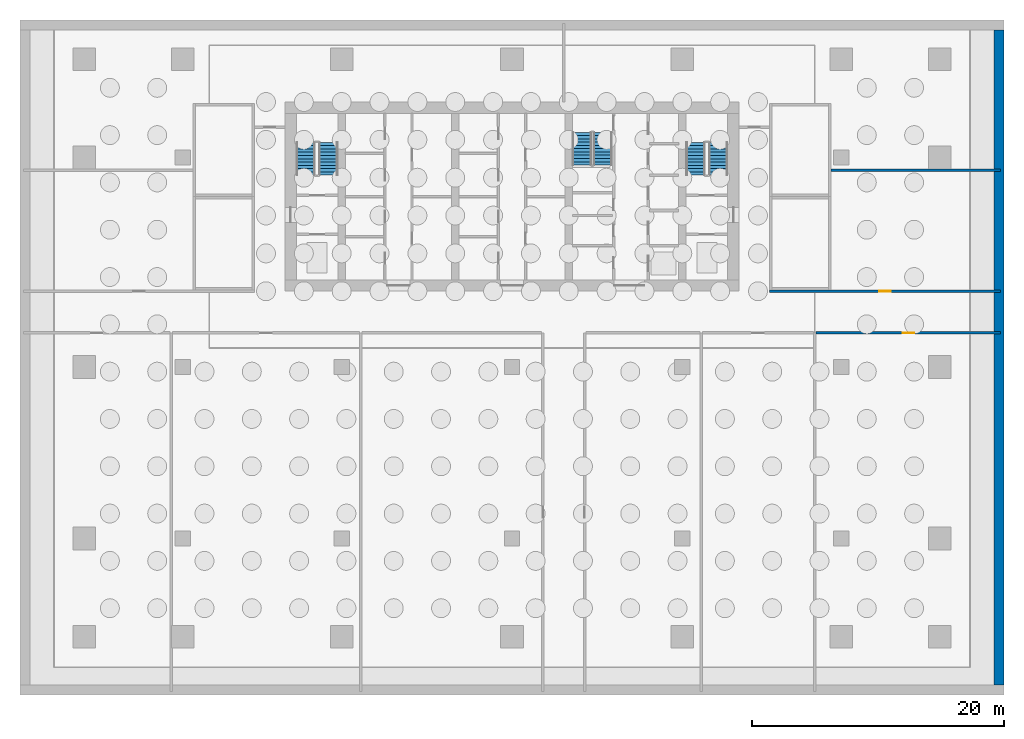
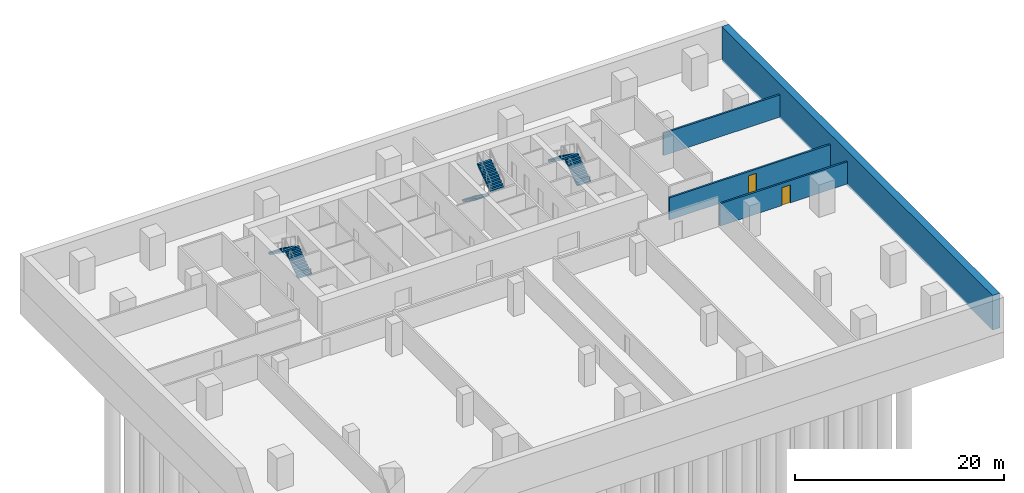
# One storey, part 8 of 10: 6 stair flights, 4 walls, 2 doors, 2 openings, 3 elements without a shape of their own.
"""IFC4 building model written with IfcOpenShell, lengths in metres."""

from ifc_helpers import new_model, si_unit, direction, frame, frame_2d, origin, place, context, subcontext, project, spatial, polyline, rectangle, outline, extrude, material, layer, layer_set, type_object, element, fill, aggregate, save


model = new_model("IFC4")

# Units and contexts
model_context = context("Model", 3, precision=1e-05, world=origin(), true_north=direction((0.0, 1.0)))
body_context = subcontext(model_context, "Body", "Model", "MODEL_VIEW")
ifc_project = project(units=[si_unit("LENGTHUNIT", "METRE"), si_unit("AREAUNIT", "SQUARE_METRE"), si_unit("VOLUMEUNIT", "CUBIC_METRE"), si_unit("PLANEANGLEUNIT", "RADIAN"), si_unit("MASSUNIT", "GRAM", prefix="KILO")], contexts=[model_context])

# Site, building, storey
site_placement = place(None, origin())
site = spatial("IfcSite", under=ifc_project, at=site_placement, CompositionType="ELEMENT")
building_placement = place(site_placement, origin())
building = spatial("IfcBuilding", under=site, at=building_placement, Name="Rattan Terrace Tower", CompositionType="ELEMENT")
storey_placement = place(building_placement, frame((0.0, 0.0, -13.5)))
storey = spatial("IfcBuildingStorey", under=building, at=storey_placement, Name="B3", CompositionType="ELEMENT", Elevation=-13.5)

# Wall, opening, door
ifc_material_1 = material(Name="Concrete block wall, plastered", Category="concrete")
ifc_layer_1 = layer(ifc_material_1, 0.199951171875)
ifc_layer_set_1 = layer_set([ifc_layer_1], Name="Floors Plant Wall 200")
wall_type_1 = type_object("IfcWallType", Name="Floors Plant Wall 200", PredefinedType="PARTITIONING", material=ifc_layer_set_1)
wall_1_placement = place(storey_placement, frame((38.739990234375, -10.800048828125, 0.0), z_axis=(0.0, 0.0, 1.0), x_axis=(-1.0, 0.0, 0.0)))
wall_1 = element("IfcWall", 1, at=wall_1_placement, inside=storey, type_object=wall_type_1, Name="pt-B3-008", PredefinedType="PARTITIONING", context=body_context, shape_type="SweptSolid", body=[
    extrude(rectangle(XDim=14.639892578125, YDim=0.199951171875, at=frame_2d((7.31982421875, 0.0))), origin(), (0.0, 0.0, 1.0), 2.60009765625),
])
opening_1_placement = place(wall_1_placement, frame((6.8701171875, 0.0, 0.0)))
opening_1 = element("IfcOpeningElement", 2, at=opening_1_placement, cuts=wall_1, Name="Opening B3-D105", PredefinedType="OPENING", context=body_context, shape_type="SweptSolid", body=[
    extrude(rectangle(XDim=0.89990234375, YDim=2.10009765625, at=frame_2d((0.449951171875, 1.050048828125))), frame((0.0, 0.110595703125, 0.0), z_axis=(0.0, -1.0, 0.0), x_axis=(1.0, 0.0, 0.0)), (0.0, 0.0, 1.0), 0.220947265625),
])
ifc_material_2 = material(Name="Steel fire door set", Category="steel")
door_type = type_object("IfcDoorType", Name="Floors Fire Door FD60 900x2100", OperationType="NOTDEFINED", PredefinedType="DOOR", material=ifc_material_2)
door_1_placement = place(opening_1_placement, origin())
door_1 = element("IfcDoor", 3, at=door_1_placement, inside=storey, type_object=door_type, Name="d-B3-105", OperationType="SINGLE_SWING_RIGHT", OverallHeight=2.10009765625, OverallWidth=0.89990234375, PredefinedType="DOOR", context=body_context, shape_type="SweptSolid", body=[
    extrude(rectangle(XDim=0.89990234375, YDim=2.10009765625, at=frame_2d((0.449951171875, 1.050048828125))), frame((0.0, 0.02490234375, 0.0), z_axis=(0.0, -1.0, 0.0), x_axis=(1.0, 0.0, 0.0)), (0.0, 0.0, 1.0), 0.050048828125),
])
fill(opening_1, door_1)

wall_2_placement = place(storey_placement, frame((20.39990234375, -7.5, 0.0), z_axis=(0.0, 0.0, 1.0), x_axis=(1.0, 0.0, 0.0)))
wall_2 = element("IfcWall", 4, at=wall_2_placement, inside=storey, type_object=wall_type_1, Name="pt-B3-011", PredefinedType="PARTITIONING", context=body_context, shape_type="SweptSolid", body=[
    extrude(rectangle(XDim=18.340087890625, YDim=0.199951171875, at=frame_2d((9.169921875, 0.0))), origin(), (0.0, 0.0, 1.0), 2.60009765625),
])
opening_2_placement = place(wall_2_placement, frame((8.719970703125, 0.0, 0.0)))
opening_2 = element("IfcOpeningElement", 5, at=opening_2_placement, cuts=wall_2, Name="Opening B3-D108", PredefinedType="OPENING", context=body_context, shape_type="SweptSolid", body=[
    extrude(rectangle(XDim=0.89990234375, YDim=2.10009765625, at=frame_2d((0.449951171875, 1.050048828125))), frame((0.0, 0.110595703125, 0.0), z_axis=(0.0, -1.0, 0.0), x_axis=(1.0, 0.0, 0.0)), (0.0, 0.0, 1.0), 0.220947265625),
])
door_2_placement = place(opening_2_placement, origin())
door_2 = element("IfcDoor", 6, at=door_2_placement, inside=storey, type_object=door_type, Name="d-B3-108", OperationType="SINGLE_SWING_LEFT", OverallHeight=2.10009765625, OverallWidth=0.89990234375, PredefinedType="DOOR", context=body_context, shape_type="SweptSolid", body=[
    extrude(rectangle(XDim=0.89990234375, YDim=2.10009765625, at=frame_2d((0.449951171875, 1.050048828125))), frame((0.0, 0.02490234375, 0.0), z_axis=(0.0, -1.0, 0.0), x_axis=(1.0, 0.0, 0.0)), (0.0, 0.0, 1.0), 0.050048828125),
])
fill(opening_2, door_2)

# Walls
wall_3_placement = place(storey_placement, frame((25.300048828125, 2.10888671875, 0.0), z_axis=(0.0, 0.0, 1.0), x_axis=(1.0, 0.0, 0.0)))
element("IfcWall", 7, at=wall_3_placement, inside=storey, type_object=wall_type_1, Name="pt-B3-019", PredefinedType="PARTITIONING", context=body_context, shape_type="SweptSolid", body=[
    extrude(rectangle(XDim=13.43994140625, YDim=0.199951171875, at=frame_2d((6.719970703125, 0.0))), origin(), (0.0, 0.0, 1.0), 2.60009765625),
])
ifc_material_3 = material(Name="Concrete C40/50", Category="concrete")
ifc_layer_2 = layer(ifc_material_3, 0.800048828125)
ifc_layer_set_2 = layer_set([ifc_layer_2], Name="Frame basement wall 800")
wall_type_2 = type_object("IfcWallType", Name="Frame basement wall 800", PredefinedType="SOLIDWALL", material=ifc_layer_set_2)
wall_4_placement = place(storey_placement, frame((38.60009765625, -38.699951171875, -0.25), z_axis=(0.0, 0.0, 1.0), x_axis=(0.0, 1.0, 0.0)))
element("IfcWall", 8, at=wall_4_placement, inside=storey, type_object=wall_type_2, Name="Basement wall", PredefinedType="SOLIDWALL", context=body_context, shape_type="SweptSolid", body=[
    extrude(rectangle(XDim=51.89990234375, YDim=0.800048828125, at=frame_2d((25.949951171875, 0.0))), origin(), (0.0, 0.0, 1.0), 4.050048828125),
])

# Stair, stair flights
ifc_material_4 = material(Name="Concrete C40/50", Category="concrete")
stair_type = type_object("IfcStairType", Name="Core exit stair 1500", PredefinedType="HALF_TURN_STAIR", material=ifc_material_4)
stair_1_placement = place(storey_placement, origin())
stair_1 = element("IfcStair", 9, at=stair_1_placement, inside=storey, type_object=stair_type, Name="B3 exit stair 1", PredefinedType="HALF_TURN_STAIR")
ifc_material_5 = material(Name="Concrete C40/50", Category="concrete")
stair_flight_type = type_object("IfcStairFlightType", Name="Core exit stair flight 1500", PredefinedType="STRAIGHT", material=ifc_material_5)
stair_flight_1_placement = place(storey_placement, frame((-14.550048828125, 1.699951171875, 0.0), z_axis=(0.0, 0.0, 1.0), x_axis=(0.0, 1.0, 0.0)))
stair_flight_1 = element("IfcStairFlight", 10, at=stair_flight_1_placement, type_object=stair_flight_type, Name="S1 flight 1", NumberOfRisers=11, NumberOfTreads=10, PredefinedType="STRAIGHT", RiserHeight=0.181818182, TreadLength=0.26, context=body_context, shape_type="SweptSolid", body=[
    extrude(outline(polyline([(0.0, 0.0), (0.0, 0.181884765625), (0.260009765625, 0.181884765625), (0.260009765625, 0.363525390625), (0.52001953125, 0.363525390625), (0.52001953125, 0.54541015625), (0.780029296875, 0.54541015625), (0.780029296875, 0.727294921875), (1.0400390625, 0.727294921875), (1.0400390625, 0.9091796875), (1.300048828125, 0.9091796875), (1.300048828125, 1.0908203125), (1.56005859375, 1.0908203125), (1.56005859375, 1.272705078125), (1.820068359375, 1.272705078125), (1.820068359375, 1.45458984375), (2.080078125, 1.45458984375), (2.080078125, 1.636474609375), (2.340087890625, 1.636474609375), (2.340087890625, 1.818115234375), (2.60009765625, 1.818115234375), (2.60009765625, 2.0), (2.60009765625, 1.63525390625), (0.261474609375, 0.0), (0.0, 0.0)])), frame((0.0, 0.75, 0.0), z_axis=(0.0, -1.0, 0.0), x_axis=(1.0, 0.0, 0.0)), (0.0, 0.0, 1.0), 1.5),
])
stair_flight_2_placement = place(storey_placement, frame((-16.35009765625, 4.300048828125, 2.0), z_axis=(0.0, 0.0, 1.0), x_axis=(0.0, -1.0, 0.0)))
stair_flight_2 = element("IfcStairFlight", 11, at=stair_flight_2_placement, type_object=stair_flight_type, Name="S1 flight 2", NumberOfRisers=11, NumberOfTreads=10, PredefinedType="STRAIGHT", RiserHeight=0.181818182, TreadLength=0.26, context=body_context, shape_type="SweptSolid", body=[
    extrude(outline(polyline([(0.0, 0.0), (0.0, 0.181884765625), (0.260009765625, 0.181884765625), (0.260009765625, 0.363525390625), (0.52001953125, 0.363525390625), (0.52001953125, 0.54541015625), (0.780029296875, 0.54541015625), (0.780029296875, 0.727294921875), (1.0400390625, 0.727294921875), (1.0400390625, 0.9091796875), (1.300048828125, 0.9091796875), (1.300048828125, 1.0908203125), (1.56005859375, 1.0908203125), (1.56005859375, 1.272705078125), (1.820068359375, 1.272705078125), (1.820068359375, 1.45458984375), (2.080078125, 1.45458984375), (2.080078125, 1.636474609375), (2.340087890625, 1.636474609375), (2.340087890625, 1.818115234375), (2.60009765625, 1.818115234375), (2.60009765625, 2.0), (2.60009765625, 1.63525390625), (0.261474609375, 0.0), (0.0, 0.0)])), frame((0.0, 0.75, 0.0), z_axis=(0.0, -1.0, 0.0), x_axis=(1.0, 0.0, 0.0)), (0.0, 0.0, 1.0), 1.5),
])
aggregate(stair_1, [stair_flight_1, stair_flight_2])

stair_2_placement = place(storey_placement, origin())
stair_2 = element("IfcStair", 12, at=stair_2_placement, inside=storey, type_object=stair_type, Name="B3 exit stair 2", PredefinedType="HALF_TURN_STAIR")
stair_flight_3_placement = place(storey_placement, frame((16.35009765625, 1.699951171875, 0.0), z_axis=(0.0, 0.0, 1.0), x_axis=(0.0, 1.0, 0.0)))
stair_flight_3 = element("IfcStairFlight", 13, at=stair_flight_3_placement, type_object=stair_flight_type, Name="S2 flight 1", NumberOfRisers=11, NumberOfTreads=10, PredefinedType="STRAIGHT", RiserHeight=0.181818182, TreadLength=0.26, context=body_context, shape_type="SweptSolid", body=[
    extrude(outline(polyline([(0.0, 0.0), (0.0, 0.181884765625), (0.260009765625, 0.181884765625), (0.260009765625, 0.363525390625), (0.52001953125, 0.363525390625), (0.52001953125, 0.54541015625), (0.780029296875, 0.54541015625), (0.780029296875, 0.727294921875), (1.0400390625, 0.727294921875), (1.0400390625, 0.9091796875), (1.300048828125, 0.9091796875), (1.300048828125, 1.0908203125), (1.56005859375, 1.0908203125), (1.56005859375, 1.272705078125), (1.820068359375, 1.272705078125), (1.820068359375, 1.45458984375), (2.080078125, 1.45458984375), (2.080078125, 1.636474609375), (2.340087890625, 1.636474609375), (2.340087890625, 1.818115234375), (2.60009765625, 1.818115234375), (2.60009765625, 2.0), (2.60009765625, 1.63525390625), (0.261474609375, 0.0), (0.0, 0.0)])), frame((0.0, 0.75, 0.0), z_axis=(0.0, -1.0, 0.0), x_axis=(1.0, 0.0, 0.0)), (0.0, 0.0, 1.0), 1.5),
])
stair_flight_4_placement = place(storey_placement, frame((14.550048828125, 4.300048828125, 2.0), z_axis=(0.0, 0.0, 1.0), x_axis=(0.0, -1.0, 0.0)))
stair_flight_4 = element("IfcStairFlight", 14, at=stair_flight_4_placement, type_object=stair_flight_type, Name="S2 flight 2", NumberOfRisers=11, NumberOfTreads=10, PredefinedType="STRAIGHT", RiserHeight=0.181818182, TreadLength=0.26, context=body_context, shape_type="SweptSolid", body=[
    extrude(outline(polyline([(0.0, 0.0), (0.0, 0.181884765625), (0.260009765625, 0.181884765625), (0.260009765625, 0.363525390625), (0.52001953125, 0.363525390625), (0.52001953125, 0.54541015625), (0.780029296875, 0.54541015625), (0.780029296875, 0.727294921875), (1.0400390625, 0.727294921875), (1.0400390625, 0.9091796875), (1.300048828125, 0.9091796875), (1.300048828125, 1.0908203125), (1.56005859375, 1.0908203125), (1.56005859375, 1.272705078125), (1.820068359375, 1.272705078125), (1.820068359375, 1.45458984375), (2.080078125, 1.45458984375), (2.080078125, 1.636474609375), (2.340087890625, 1.636474609375), (2.340087890625, 1.818115234375), (2.60009765625, 1.818115234375), (2.60009765625, 2.0), (2.60009765625, 1.63525390625), (0.261474609375, 0.0), (0.0, 0.0)])), frame((0.0, 0.75, 0.0), z_axis=(0.0, -1.0, 0.0), x_axis=(1.0, 0.0, 0.0)), (0.0, 0.0, 1.0), 1.5),
])
aggregate(stair_2, [stair_flight_3, stair_flight_4])

stair_3_placement = place(storey_placement, origin())
stair_3 = element("IfcStair", 15, at=stair_3_placement, inside=storey, type_object=stair_type, Name="B3 exit stair 3", PredefinedType="HALF_TURN_STAIR")
stair_flight_5_placement = place(storey_placement, frame((5.550048828125, 5.10009765625, 0.0), z_axis=(0.0, 0.0, 1.0), x_axis=(0.0, -1.0, 0.0)))
stair_flight_5 = element("IfcStairFlight", 16, at=stair_flight_5_placement, type_object=stair_flight_type, Name="S3 flight 1", NumberOfRisers=11, NumberOfTreads=10, PredefinedType="STRAIGHT", RiserHeight=0.181818182, TreadLength=0.26, context=body_context, shape_type="SweptSolid", body=[
    extrude(outline(polyline([(0.0, 0.0), (0.0, 0.181884765625), (0.260009765625, 0.181884765625), (0.260009765625, 0.363525390625), (0.52001953125, 0.363525390625), (0.52001953125, 0.54541015625), (0.780029296875, 0.54541015625), (0.780029296875, 0.727294921875), (1.0400390625, 0.727294921875), (1.0400390625, 0.9091796875), (1.300048828125, 0.9091796875), (1.300048828125, 1.0908203125), (1.56005859375, 1.0908203125), (1.56005859375, 1.272705078125), (1.820068359375, 1.272705078125), (1.820068359375, 1.45458984375), (2.080078125, 1.45458984375), (2.080078125, 1.636474609375), (2.340087890625, 1.636474609375), (2.340087890625, 1.818115234375), (2.60009765625, 1.818115234375), (2.60009765625, 2.0), (2.60009765625, 1.63525390625), (0.261474609375, 0.0), (0.0, 0.0)])), frame((0.0, 0.75, 0.0), z_axis=(0.0, -1.0, 0.0), x_axis=(1.0, 0.0, 0.0)), (0.0, 0.0, 1.0), 1.5),
])
stair_flight_6_placement = place(storey_placement, frame((7.199951171875, 2.5, 2.0), z_axis=(0.0, 0.0, 1.0), x_axis=(0.0, 1.0, 0.0)))
stair_flight_6 = element("IfcStairFlight", 17, at=stair_flight_6_placement, type_object=stair_flight_type, Name="S3 flight 2", NumberOfRisers=11, NumberOfTreads=10, PredefinedType="STRAIGHT", RiserHeight=0.181818182, TreadLength=0.26, context=body_context, shape_type="SweptSolid", body=[
    extrude(outline(polyline([(0.0, 0.0), (0.0, 0.181884765625), (0.260009765625, 0.181884765625), (0.260009765625, 0.363525390625), (0.52001953125, 0.363525390625), (0.52001953125, 0.54541015625), (0.780029296875, 0.54541015625), (0.780029296875, 0.727294921875), (1.0400390625, 0.727294921875), (1.0400390625, 0.9091796875), (1.300048828125, 0.9091796875), (1.300048828125, 1.0908203125), (1.56005859375, 1.0908203125), (1.56005859375, 1.272705078125), (1.820068359375, 1.272705078125), (1.820068359375, 1.45458984375), (2.080078125, 1.45458984375), (2.080078125, 1.636474609375), (2.340087890625, 1.636474609375), (2.340087890625, 1.818115234375), (2.60009765625, 1.818115234375), (2.60009765625, 2.0), (2.60009765625, 1.63525390625), (0.261474609375, 0.0), (0.0, 0.0)])), frame((0.0, 0.75, 0.0), z_axis=(0.0, -1.0, 0.0), x_axis=(1.0, 0.0, 0.0)), (0.0, 0.0, 1.0), 1.5),
])
aggregate(stair_3, [stair_flight_5, stair_flight_6])

save(model, "model.ifc")
